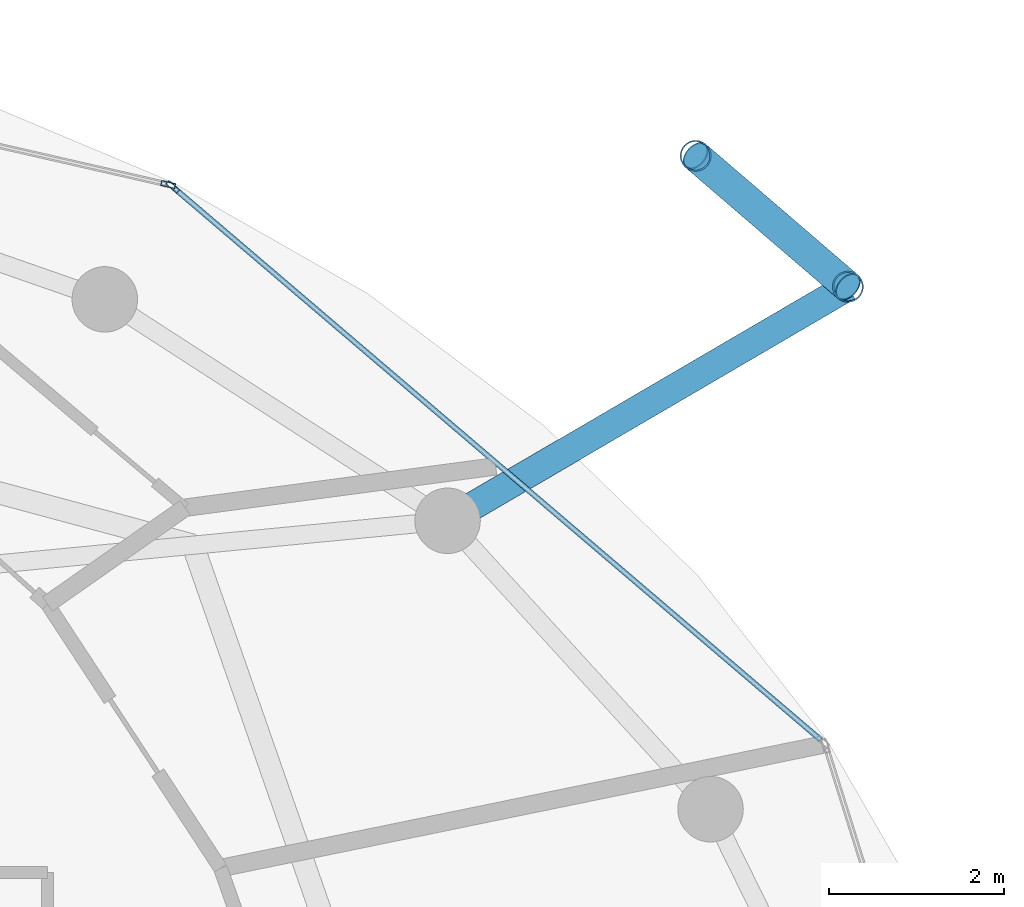
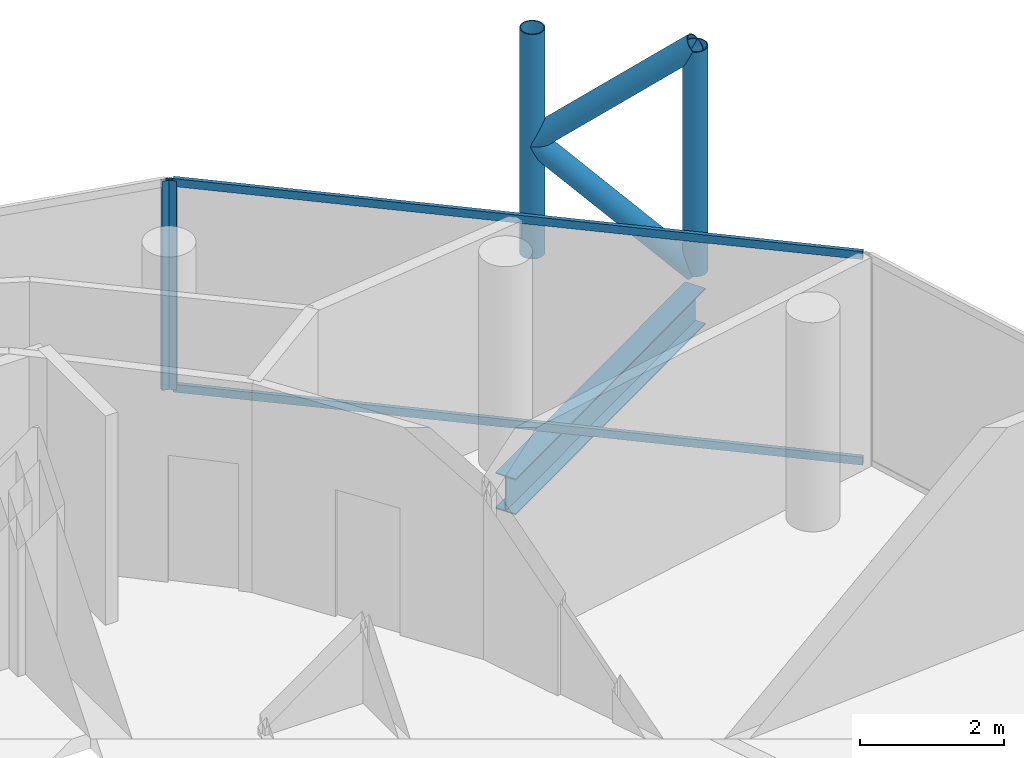
# One storey, part 18 of 24: 8 members, 1 beam, 2 elements without a shape of their own.
"""IFC4 building model written with IfcOpenShell, lengths in metres."""

from ifc_helpers import new_model, si_unit, direction, frame, origin, origin_2d, place, context, subcontext, project, spatial, hollow_rectangle, hollow_circle, i_section, extrude, material, layer, layer_set, material_profile, profile_set, type_object, element, aggregate, save


model = new_model("IFC4")

# Units and contexts
model_context = context("Model", 3, precision=1e-05, world=origin(), true_north=direction((0.0, 1.0)))
body_context = subcontext(model_context, "Body", "Model", "MODEL_VIEW")
ifc_project = project(units=[si_unit("LENGTHUNIT", "METRE"), si_unit("AREAUNIT", "SQUARE_METRE"), si_unit("VOLUMEUNIT", "CUBIC_METRE"), si_unit("PLANEANGLEUNIT", "RADIAN"), si_unit("MASSUNIT", "GRAM", prefix="KILO")], contexts=[model_context])

# Site, building, storey
site_placement = place(None, origin())
site = spatial("IfcSite", under=ifc_project, at=site_placement, CompositionType="ELEMENT")
building_placement = place(site_placement, origin())
building = spatial("IfcBuilding", under=site, at=building_placement, Name="Nuhasar Tower", CompositionType="ELEMENT")
storey_placement = place(building_placement, frame((0.0, 0.0, 259.39990234375)))
storey = spatial("IfcBuildingStorey", under=building, at=storey_placement, Name="L64", CompositionType="ELEMENT", Elevation=259.39990234375)

# Beam
ifc_material_1 = material(Name="Steel S355", Category="steel")
ifc_material_profile_1 = material_profile(ifc_material_1, i_section(OverallWidth=0.323974609375, OverallDepth=0.611083984375, WebThickness=0.0126953125, FlangeThickness=0.01904296875, at=origin_2d()), Name="W24X104")
ifc_profile_set_1 = profile_set([ifc_material_profile_1], Name="Steel S355")
beam_type = type_object("IfcBeamType", Name="BM-TIE-W24X104", PredefinedType="BEAM", material=ifc_profile_set_1)
beam_placement = place(storey_placement, frame((52.39990234375, 38.077880859375, -0.56591796875), z_axis=(0.863271521286, 0.504739814693, 0.0), x_axis=(-0.504739814693, 0.863271521286, 0.0)))
element("IfcBeam", 1, at=beam_placement, inside=storey, type_object=beam_type, Name="L64 Exoskeleton Node Tie Beam 02", PredefinedType="BEAM", context=body_context, shape_type="SweptSolid", body=[
    extrude(i_section(OverallWidth=0.323974609375, OverallDepth=0.611083984375, WebThickness=0.0126953125, FlangeThickness=0.01904296875, at=origin_2d()), origin(), (0.0, 0.0, 1.0), 5.31005859375),
])

# Curtain wall, member
ifc_material_2 = material(Name="Aluminium 6063-T6", Category="aluminium")
ifc_layer = layer(ifc_material_2, 0.18994140625)
ifc_layer_set = layer_set([ifc_layer], Name="Aluminium 6063-T6")
curtain_wall_type = type_object("IfcCurtainWallType", Name="CW-Z4-PEN", PredefinedType="NOTDEFINED", material=ifc_layer_set)
curtain_wall_1_placement = place(storey_placement, origin())
curtain_wall_1 = element("IfcCurtainWall", 2, at=curtain_wall_1_placement, inside=storey, type_object=curtain_wall_type, Name="L64 Unitised Curtain Wall 02", PredefinedType="NOTDEFINED")
ifc_material_profile_2 = material_profile(ifc_material_2, hollow_rectangle(XDim=0.06005859375, YDim=0.1650390625, WallThickness=0.0048828125, at=origin_2d()), Name="CWM-5")
ifc_profile_set_2 = profile_set([ifc_material_profile_2], Name="Aluminium 6063-T6")
member_type_1 = type_object("IfcMemberType", Name="CW-MUL-S5", PredefinedType="MULLION", material=ifc_profile_set_2)
member_1_placement = place(storey_placement, frame((49.2529296875, 41.901611328125, 0.0), z_axis=(0.0, 0.0, 1.0), x_axis=(-0.649141996205, -0.760667252327, 0.0)))
member_1 = element("IfcMember", 3, at=member_1_placement, type_object=member_type_1, Name="CW-Z4 mullion 2", PredefinedType="MULLION", context=body_context, shape_type="SweptSolid", body=[
    extrude(hollow_rectangle(XDim=0.06005859375, YDim=0.1650390625, WallThickness=0.0048828125, at=origin_2d()), origin(), (0.0, 0.0, 1.0), 3.5400390625),
])

curtain_wall_2_placement = place(storey_placement, origin())
curtain_wall_2 = element("IfcCurtainWall", 4, at=curtain_wall_2_placement, inside=storey, type_object=curtain_wall_type, Name="L64 Unitised Curtain Wall 03", PredefinedType="NOTDEFINED")
member_2_placement = place(storey_placement, frame((49.20068359375, 41.927734375, 0.0), z_axis=(0.0, 0.0, 1.0), x_axis=(-0.222889487645, -0.97484371891, 0.0)))
member_2 = element("IfcMember", 5, at=member_2_placement, type_object=member_type_1, Name="CW-Z4 mullion 1", PredefinedType="MULLION", context=body_context, shape_type="SweptSolid", body=[
    extrude(hollow_rectangle(XDim=0.06005859375, YDim=0.1650390625, WallThickness=0.0048828125, at=origin_2d()), origin(), (0.0, 0.0, 1.0), 3.5400390625),
])
aggregate(curtain_wall_2, [member_2])

# Member
ifc_material_profile_3 = material_profile(ifc_material_2, hollow_rectangle(XDim=0.06005859375, YDim=0.135009765625, WallThickness=0.00439453125, at=origin_2d()), Name="CWT-5")
ifc_profile_set_3 = profile_set([ifc_material_profile_3], Name="Aluminium 6063-T6")
member_type_2 = type_object("IfcMemberType", Name="CW-TRN-S5", PredefinedType="USERDEFINED", material=ifc_profile_set_3)
member_3_placement = place(storey_placement, frame((56.67333984375, 35.56884765625, 0.030029296875), z_axis=(-0.760660035709, 0.649150452573, 0.0), x_axis=(-0.649150452573, -0.760660035709, 0.0)))
member_3 = element("IfcMember", 6, at=member_3_placement, type_object=member_type_2, Name="CW-Z4 transom 1.1", ObjectType="TRANSOM", PredefinedType="USERDEFINED", context=body_context, shape_type="SweptSolid", body=[
    extrude(hollow_rectangle(XDim=0.06005859375, YDim=0.135009765625, WallThickness=0.00439453125, at=origin_2d()), origin(), (0.0, 0.0, 1.0), 9.725341796875),
])

member_4_placement = place(storey_placement, frame((56.67333984375, 35.56884765625, 3.510009765625), z_axis=(-0.760660035709, 0.649150452573, 0.0), x_axis=(-0.649150452573, -0.760660035709, 0.0)))
member_4 = element("IfcMember", 7, at=member_4_placement, type_object=member_type_2, Name="CW-Z4 transom 1.2", ObjectType="TRANSOM", PredefinedType="USERDEFINED", context=body_context, shape_type="SweptSolid", body=[
    extrude(hollow_rectangle(XDim=0.06005859375, YDim=0.135009765625, WallThickness=0.00439453125, at=origin_2d()), origin(), (0.0, 0.0, 1.0), 9.725341796875),
])

aggregate(curtain_wall_1, [member_1, member_3, member_4])

# Members
ifc_material_3 = material(Name="Steel S460", Category="steel")
ifc_material_profile_4 = material_profile(ifc_material_3, hollow_circle(Radius=0.177734375, WallThickness=0.015869140625, at=origin_2d()), Name="HSS355.6X15.9")
ifc_profile_set_4 = profile_set([ifc_material_profile_4], Name="Steel S460")
member_type_3 = type_object("IfcMemberType", Name="EXO-BRONZE-356", PredefinedType="BRACE", material=ifc_profile_set_4)
for number, where, z_axis, x_axis, name in (
    (8, (56.98388671875, 40.758056640625, 0.0), (0.0, 0.0, 1.0), (1.0, 0.0, 0.0), "L64 Exoskeleton Chord Column EC-02A"),
    (9, (55.239990234375, 42.257080078125, 0.0), (0.0, 0.0, 1.0), (1.0, 0.0, 0.0), "L64 Exoskeleton Chord Column EC-02B"),
):
    element("IfcMember", number, at=place(storey_placement, frame(where, z_axis=z_axis, x_axis=x_axis)), inside=storey, type_object=member_type_3, Name=name, PredefinedType="BRACE", context=body_context, shape_type="SweptSolid", body=[
        extrude(hollow_circle(Radius=0.177734375, WallThickness=0.015869140625, at=origin_2d()), origin(), (0.0, 0.0, 1.0), 3.800048828125),
    ])
member_5_placement = place(storey_placement, frame((56.98388671875, 40.758056640625, 0.0), z_axis=(-0.584594747408, 0.50250759472, 0.636973389203), x_axis=(-0.65185738425, -0.758341579104, 0.0)))
element("IfcMember", 10, at=member_5_placement, inside=storey, type_object=member_type_3, Name="L64 Bronze Diagrid Brace W1-02", PredefinedType="BRACE", context=body_context, shape_type="SweptSolid", body=[
    extrude(hollow_circle(Radius=0.177734375, WallThickness=0.015869140625, at=origin_2d()), origin(), (0.0, 0.0, 1.0), 2.983154296875),
])
member_6_placement = place(storey_placement, frame((55.239990234375, 42.257080078125, 1.900146484375), z_axis=(0.584625223306, -0.502533791278, 0.636924749792), x_axis=(0.65185738425, 0.758341579104, 0.0)))
element("IfcMember", 11, at=member_6_placement, inside=storey, type_object=member_type_3, Name="L64 Bronze Diagrid Brace W2-02", PredefinedType="BRACE", context=body_context, shape_type="SweptSolid", body=[
    extrude(hollow_circle(Radius=0.177734375, WallThickness=0.015869140625, at=origin_2d()), origin(), (0.0, 0.0, 1.0), 2.98291015625),
])

save(model, "model.ifc")
